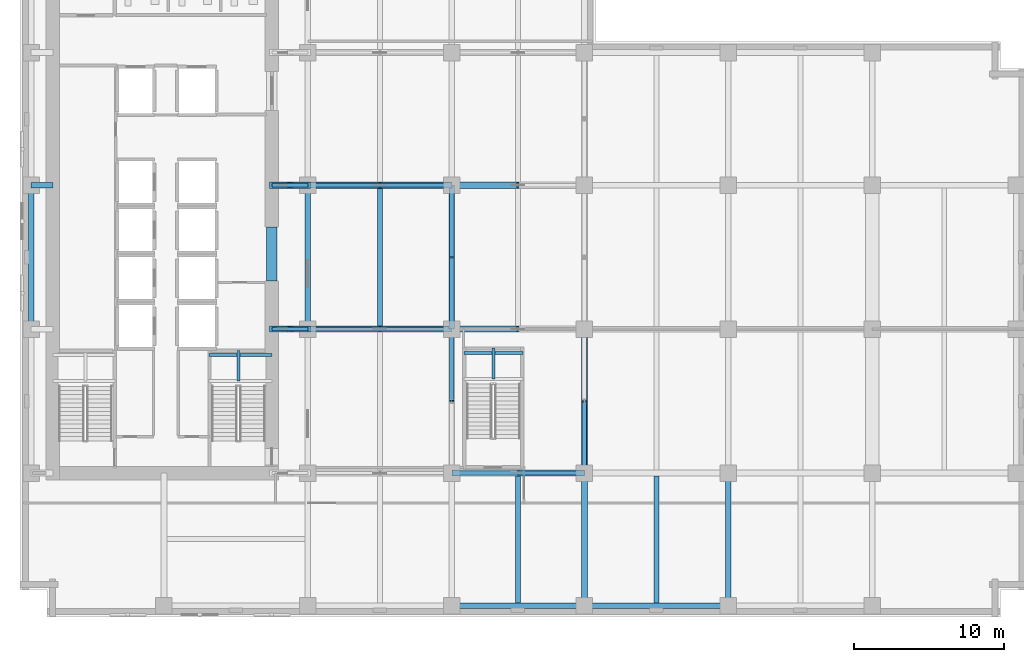
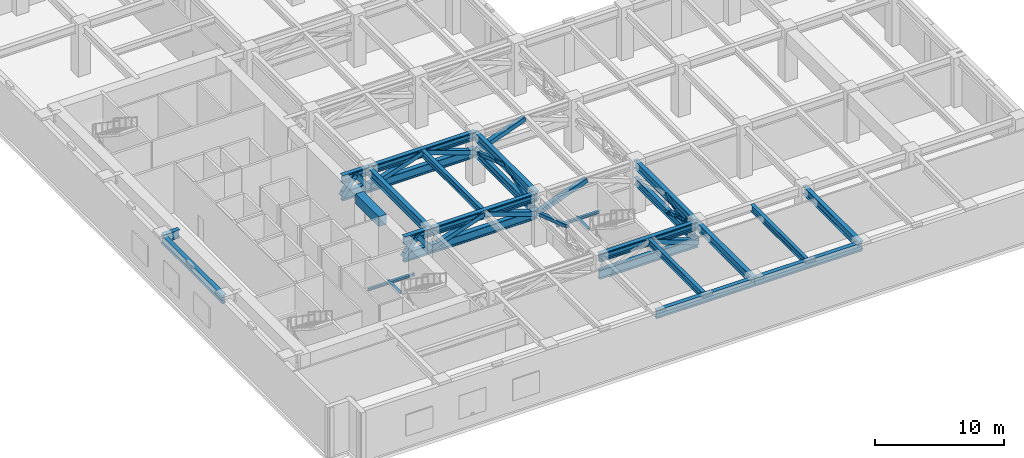
# One storey, part 3 of 22: 29 beams, 21 members.
"""IFC4 building model written with IfcOpenShell, lengths in metres."""

import ifcopenshell
import ifcopenshell.guid

model = None  # the IFC model being written
_history = None  # IfcOwnerHistory: only IFC2X3 demands one
_inside = {}  # id of a spatial element -> (the spatial element, [elements in it])
_under = {}  # id of a project, library or spatial element -> (it, [spatial elements below it])
_declared = {}  # id of a project -> (the project, [libraries it declares])
_typed = {}  # id of a type object -> (the type object, [elements of that type])
_made_of = {}  # id of a material, layer set ... -> (it, [elements and type objects made of it])


def new_model(schema):
    """Start an empty IFC model of exactly this schema.

    Asked for "IFC4X3", IfcOpenShell would pick the latest addendum, in which some entities
    have other attributes; the version numbers below select the first issue.
    IFC2X3 requires an IfcOwnerHistory on every rooted entity: one is made here for all.
    """
    global model, _history
    if schema == "IFC4X3":
        model = ifcopenshell.file(schema_version=(4, 3, 0, 0))
    else:
        model = ifcopenshell.file(schema=schema)
    _inside.clear()
    _under.clear()
    _declared.clear()
    _typed.clear()
    _made_of.clear()
    _history = None
    if model.schema == "IFC2X3":
        org = make("IfcOrganization", Name="unknown")
        user = make(
            "IfcPersonAndOrganization",
            ThePerson=make("IfcPerson", FamilyName="unknown"),
            TheOrganization=org,
        )
        app = make(
            "IfcApplication",
            ApplicationDeveloper=org,
            Version="unknown",
            ApplicationFullName="unknown",
            ApplicationIdentifier="unknown",
        )
        _history = make(
            "IfcOwnerHistory",
            OwningUser=user,
            OwningApplication=app,
            ChangeAction="ADDED",
            CreationDate=0,
        )
    return model


def make(cls, **values):
    """One entity of the class cls with the attributes given. An attribute that is None is left unset."""
    return model.create_entity(
        cls, **{name: value for name, value in values.items() if value is not None}
    )


def rooted(cls, **values):
    """An entity with a GlobalId (a new one), such as an element, a storey or a relation."""
    return make(cls, GlobalId=ifcopenshell.guid.new(), OwnerHistory=_history, **values)


def si_unit(unit_type, name, prefix=None):
    """IfcSIUnit, for example si_unit("LENGTHUNIT", "METRE", prefix="MILLI")."""
    return make("IfcSIUnit", UnitType=unit_type, Prefix=prefix, Name=name)


def assignment(units):
    """IfcUnitAssignment: the units of a project."""
    return None if units is None else make("IfcUnitAssignment", Units=units)


def point(xyz):
    """IfcCartesianPoint."""
    return None if xyz is None else make("IfcCartesianPoint", Coordinates=xyz)


def direction(xyz):
    """IfcDirection."""
    return None if xyz is None else make("IfcDirection", DirectionRatios=xyz)


def frame(location, z_axis=None, x_axis=None):
    """IfcAxis2Placement3D, a coordinate frame: its origin and axes. An axis left out is left unset."""
    return make(
        "IfcAxis2Placement3D",
        Location=point(location),
        Axis=direction(z_axis),
        RefDirection=direction(x_axis),
    )


def frame_2d(location, x_axis=None):
    """IfcAxis2Placement2D, a coordinate frame in the plane: its origin and x axis."""
    return make(
        "IfcAxis2Placement2D", Location=point(location), RefDirection=direction(x_axis)
    )


def origin():
    """The frame at (0, 0, 0) with its axes left unset."""
    return frame((0.0, 0.0, 0.0))


def origin_2d():
    """The frame at (0, 0) in the plane with its x axis left unset."""
    return frame_2d((0.0, 0.0))


def place(relative_to, where):
    """IfcLocalPlacement: puts the frame where relative to a parent placement (None: the world)."""
    return make(
        "IfcLocalPlacement", PlacementRelTo=relative_to, RelativePlacement=where
    )


def context(
    kind, dimensions, precision=None, world=None, true_north=None, identifier=None
):
    """IfcGeometricRepresentationContext, for example the 3D "Model" context."""
    return make(
        "IfcGeometricRepresentationContext",
        ContextIdentifier=identifier,
        ContextType=kind,
        CoordinateSpaceDimension=dimensions,
        Precision=precision,
        WorldCoordinateSystem=world,
        TrueNorth=true_north,
    )


def subcontext(parent, identifier, kind, view, scale=None):
    """IfcGeometricRepresentationSubContext, for example "Body" below "Model"."""
    return make(
        "IfcGeometricRepresentationSubContext",
        ContextIdentifier=identifier,
        ContextType=kind,
        ParentContext=parent,
        TargetScale=scale,
        TargetView=view,
    )


def project(units=None, contexts=None):
    """IfcProject with its units and contexts."""
    return rooted(
        "IfcProject",
        Name="project",
        RepresentationContexts=contexts,
        UnitsInContext=assignment(units),
    )


def spatial(cls, under=None, at=None, **own):
    """A site, building, storey or space (cls), placed at a placement, below another one or the project."""
    s = rooted(cls, ObjectPlacement=at, **own)
    if under is not None:
        _under.setdefault(under.id(), (under, []))[1].append(s)
    return s


def profile(cls, at=None, kind="AREA", **sizes):
    """A parametric profile (cls). Its sizes go by their IFC names, for example OverallWidth=200.0."""
    return make(cls, ProfileType=kind, Position=at, **sizes)


def rectangle(**sizes):
    """IfcRectangleProfileDef."""
    return profile("IfcRectangleProfileDef", **sizes)


def hollow_rectangle(**sizes):
    """IfcRectangleHollowProfileDef."""
    return profile("IfcRectangleHollowProfileDef", **sizes)


def i_section(**sizes):
    """IfcIShapeProfileDef."""
    return profile("IfcIShapeProfileDef", **sizes)


def extrude(swept, where, along, depth):
    """IfcExtrudedAreaSolid: the profile swept, set in the frame where, extruded along a direction by depth."""
    return make(
        "IfcExtrudedAreaSolid",
        SweptArea=swept,
        Position=where,
        ExtrudedDirection=direction(along),
        Depth=depth,
    )


def shape(context_of_items, identifier, shape_type, items):
    """IfcShapeRepresentation: the items that make up one representation, for example the "Body"."""
    return make(
        "IfcShapeRepresentation",
        ContextOfItems=context_of_items,
        RepresentationIdentifier=identifier,
        RepresentationType=shape_type,
        Items=items,
    )


def material(Name=None, Category=None):
    """IfcMaterial."""
    return make("IfcMaterial", Name=Name, Category=Category)


def material_profile(
    of_material, cross_section, Name=None, Category=None, Priority=None
):
    """IfcMaterialProfile: a cross section and its material."""
    return make(
        "IfcMaterialProfile",
        Name=Name,
        Material=of_material,
        Profile=cross_section,
        Priority=Priority,
        Category=Category,
    )


def profile_set(profiles, Name=None, composite=None):
    """IfcMaterialProfileSet."""
    return make(
        "IfcMaterialProfileSet",
        Name=Name,
        MaterialProfiles=profiles,
        CompositeProfile=composite,
    )


def made_of(thing, what):
    """Note that an element or type object is made of a material, layer set ...; save() writes the relation."""
    if what is not None:
        _made_of.setdefault(what.id(), (what, []))[1].append(thing)
    return thing


def type_object(cls, material=None, **own):
    """A type object (cls), such as IfcWallType, which elements share."""
    return made_of(rooted(cls, **own), material)


def element(
    cls,
    number,
    at=None,
    inside=None,
    cuts=None,
    type_object=None,
    material=None,
    context=None,
    identifier="Body",
    shape_type=None,
    held_by="IfcProductDefinitionShape",
    body=None,
    shapes=None,
    **own,
):
    """One element of the class cls, such as IfcWall. Its Tag is "e" and its number.

    at: its placement. inside: the storey or other place that contains it. cuts: it is an
    opening in that element (IfcRelVoidsElement). A single representation is given by context,
    identifier, shape_type and body (its items); several are given by shapes. held_by: the class
    of the entity that holds the representations. save() writes the other relations.
    """
    e = rooted(cls, Tag="e%d" % number, ObjectPlacement=at, **own)
    if body is not None:
        shapes = [shape(context, identifier, shape_type, body)]
    if shapes is not None:
        e.Representation = make(held_by, Representations=shapes)
    if inside is not None:
        _inside.setdefault(inside.id(), (inside, []))[1].append(e)
    if cuts is not None:
        rooted(
            "IfcRelVoidsElement", RelatingBuildingElement=cuts, RelatedOpeningElement=e
        )
    if type_object is not None:
        _typed.setdefault(type_object.id(), (type_object, []))[1].append(e)
    return made_of(e, material)


def aggregate(whole, parts):
    """IfcRelAggregates: a whole, such as a stair, and the parts it consists of."""
    return rooted("IfcRelAggregates", RelatingObject=whole, RelatedObjects=parts)


def save(model, path):
    """Write the relations noted so far, then the file.

    IfcRelAggregates (storeys below a building ...), IfcRelContainedInSpatialStructure (elements
    in a storey), IfcRelDefinesByType, IfcRelAssociatesMaterial and IfcRelDeclares: one each for
    every whole, place, type object, material and project.
    """
    for whole, parts in _under.values():
        aggregate(whole, parts)
    for where, things in _inside.values():
        rooted(
            "IfcRelContainedInSpatialStructure",
            RelatedElements=things,
            RelatingStructure=where,
        )
    for kind, things in _typed.values():
        rooted("IfcRelDefinesByType", RelatedObjects=things, RelatingType=kind)
    for what, things in _made_of.values():
        rooted("IfcRelAssociatesMaterial", RelatedObjects=things, RelatingMaterial=what)
    for by, libraries in _declared.values():
        rooted("IfcRelDeclares", RelatingContext=by, RelatedDefinitions=libraries)
    model.write(path)


model = new_model("IFC4")

# Units and contexts
model_context = context("Model", 3, precision=1e-05, world=origin(), true_north=direction((0.0, 1.0)))
body_context = subcontext(model_context, "Body", "Model", "MODEL_VIEW")
ifc_project = project(units=[si_unit("LENGTHUNIT", "METRE"), si_unit("AREAUNIT", "SQUARE_METRE"), si_unit("VOLUMEUNIT", "CUBIC_METRE"), si_unit("PLANEANGLEUNIT", "RADIAN"), si_unit("MASSUNIT", "GRAM", prefix="KILO")], contexts=[model_context])

# Site, building, storey
site_placement = place(None, origin())
site = spatial("IfcSite", under=ifc_project, at=site_placement, CompositionType="ELEMENT")
building_placement = place(site_placement, origin())
building = spatial("IfcBuilding", under=site, at=building_placement, Name="Norrvale University Quadrangle", CompositionType="ELEMENT")
storey_placement = place(building_placement, frame((0.0, 0.0, 96.39990234375)))
storey = spatial("IfcBuildingStorey", under=building, at=storey_placement, Name="L24", CompositionType="ELEMENT", Elevation=96.39990234375)

# Beams
ifc_material_1 = material(Name="Steel 350W", Category="steel")
ifc_material_profile_1 = material_profile(ifc_material_1, i_section(OverallWidth=0.324951171875, OverallDepth=0.615966796875, WebThickness=0.013916015625, FlangeThickness=0.021484375, FilletRadius=0.01611328125, at=origin_2d()), Name="Steel 350W")
ifc_profile_set_1 = profile_set([ifc_material_profile_1], Name="Steel 350W")
beam_type_1 = type_object("IfcBeamType", Name="Beam Belt W610x174", PredefinedType="BEAM", material=ifc_profile_set_1)
beam_1_placement = place(storey_placement, frame((24.0, 19.390380859375, 4.43212890625), z_axis=(0.0, 1.0, 0.0), x_axis=(-1.0, 0.0, 0.0)))
element("IfcBeam", 1, at=beam_1_placement, inside=storey, type_object=beam_type_1, Name="Beam Belt W610x174 BM-L24-J080", PredefinedType="BEAM", context=body_context, shape_type="SweptSolid", body=[
    extrude(i_section(OverallWidth=0.324951171875, OverallDepth=0.615966796875, WebThickness=0.013916015625, FlangeThickness=0.021484375, FilletRadius=0.01611328125, at=origin_2d()), origin(), (0.0, 0.0, 1.0), 9.21923828125),
])
for number, where, z_axis, x_axis, name in (
    (2, (33.22509765625, 0.9404296875, 4.43212890625), (0.0, 1.0, 0.0), (-1.0, 0.0, 0.0), "Beam Belt W610x174 BM-L24-J085"),
    (3, (42.449951171875, 0.9404296875, 4.43212890625), (0.0, 1.0, 0.0), (-1.0, 0.0, 0.0), "Beam Belt W610x174 BM-L24-J090"),
):
    element("IfcBeam", number, at=place(storey_placement, frame(where, z_axis=z_axis, x_axis=x_axis)), inside=storey, type_object=beam_type_1, Name=name, PredefinedType="BEAM", context=body_context, shape_type="SweptSolid", body=[
        extrude(i_section(OverallWidth=0.324951171875, OverallDepth=0.615966796875, WebThickness=0.013916015625, FlangeThickness=0.021484375, FilletRadius=0.01611328125, at=origin_2d()), origin(), (0.0, 0.0, 1.0), 8.468994140625),
    ])
ifc_material_profile_2 = material_profile(ifc_material_1, i_section(OverallWidth=0.35498046875, OverallDepth=0.695068359375, WebThickness=0.015380859375, FlangeThickness=0.02490234375, FilletRadius=0.01806640625, at=origin_2d()), Name="Steel 350W")
ifc_profile_set_2 = profile_set([ifc_material_profile_2], Name="Steel 350W")
beam_type_2 = type_object("IfcBeamType", Name="Beam Belt W690x217", PredefinedType="BEAM", material=ifc_profile_set_2)
beam_2_placement = place(storey_placement, frame((37.64990234375, 9.60009765625, 2.75), z_axis=(0.0, 1.0, 0.0), x_axis=(-1.0, 0.0, 0.0)))
element("IfcBeam", 4, at=beam_2_placement, inside=storey, type_object=beam_type_2, Name="Belt Truss Chord L24-01", PredefinedType="BEAM", context=body_context, shape_type="SweptSolid", body=[
    extrude(i_section(OverallWidth=0.35498046875, OverallDepth=0.695068359375, WebThickness=0.015380859375, FlangeThickness=0.02490234375, FilletRadius=0.01806640625, at=origin_2d()), origin(), (0.0, 0.0, 1.0), 9.599853515625),
])
beam_3_placement = place(storey_placement, frame((28.800048828125, 19.199951171875, 2.75), z_axis=(0.0, 1.0, 0.0), x_axis=(-1.0, 0.0, 0.0)))
element("IfcBeam", 5, at=beam_3_placement, inside=storey, type_object=beam_type_2, Name="Belt Truss Chord L24-05", PredefinedType="BEAM", context=body_context, shape_type="SweptSolid", body=[
    extrude(i_section(OverallWidth=0.35498046875, OverallDepth=0.695068359375, WebThickness=0.015380859375, FlangeThickness=0.02490234375, FilletRadius=0.01806640625, at=origin_2d()), origin(), (0.0, 0.0, 1.0), 9.60009765625),
])
ifc_material_2 = material(Name="Concrete C80/95", Category="concrete")
ifc_material_profile_3 = material_profile(ifc_material_2, rectangle(XDim=0.699951171875, YDim=0.949951171875, at=origin_2d()), Name="Concrete C80/95")
ifc_profile_set_3 = profile_set([ifc_material_profile_3], Name="Concrete C80/95")
beam_type_3 = type_object("IfcBeamType", Name="Beam Core Link 700x950", PredefinedType="LINTEL", material=ifc_profile_set_3)
beam_4_placement = place(storey_placement, frame((16.800048828125, 22.39990234375, 4.26513671875), z_axis=(0.0, 1.0, 0.0), x_axis=(-1.0, 0.0, 0.0)))
element("IfcBeam", 6, at=beam_4_placement, inside=storey, type_object=beam_type_3, Name="Core Coupling Lintel Beam L24-1", PredefinedType="LINTEL", context=body_context, shape_type="SweptSolid", body=[
    extrude(rectangle(XDim=0.699951171875, YDim=0.949951171875, at=origin_2d()), origin(), (0.0, 0.0, 1.0), 3.60009765625),
])
ifc_material_profile_4 = material_profile(ifc_material_1, i_section(OverallWidth=0.381103515625, OverallDepth=0.77294921875, WebThickness=0.0166015625, FlangeThickness=0.027587890625, FilletRadius=0.02001953125, at=origin_2d()), Name="Steel 350W")
ifc_profile_set_4 = profile_set([ifc_material_profile_4], Name="Steel 350W")
beam_type_4 = type_object("IfcBeamType", Name="Beam Outrig W760x257", PredefinedType="BEAM", material=ifc_profile_set_4)
beam_5_placement = place(storey_placement, frame((28.800048828125, 0.75, 4.353515625), z_axis=(1.0, 0.0, 0.0), x_axis=(0.0, 1.0, 0.0)))
element("IfcBeam", 7, at=beam_5_placement, inside=storey, type_object=beam_type_4, Name="Beam Outrig W760x257 BM-L24-GX003", PredefinedType="BEAM", context=body_context, shape_type="SweptSolid", body=[
    extrude(i_section(OverallWidth=0.381103515625, OverallDepth=0.77294921875, WebThickness=0.0166015625, FlangeThickness=0.027587890625, FilletRadius=0.02001953125, at=origin_2d()), origin(), (0.0, 0.0, 1.0), 8.849853515625),
])
beam_6_placement = place(storey_placement, frame((37.64990234375, 0.75, 4.353515625), z_axis=(1.0, 0.0, 0.0), x_axis=(0.0, 1.0, 0.0)))
element("IfcBeam", 8, at=beam_6_placement, inside=storey, type_object=beam_type_4, Name="Beam Outrig W760x257 BM-L24-GX004", PredefinedType="BEAM", context=body_context, shape_type="SweptSolid", body=[
    extrude(i_section(OverallWidth=0.381103515625, OverallDepth=0.77294921875, WebThickness=0.0166015625, FlangeThickness=0.027587890625, FilletRadius=0.02001953125, at=origin_2d()), origin(), (0.0, 0.0, 1.0), 9.60009765625),
])
beam_7_placement = place(storey_placement, frame((28.800048828125, 9.60009765625, 4.353515625), z_axis=(1.0, 0.0, 0.0), x_axis=(0.0, 1.0, 0.0)))
element("IfcBeam", 9, at=beam_7_placement, inside=storey, type_object=beam_type_4, Name="Beam Outrig W760x257 BM-L24-GX007", PredefinedType="BEAM", context=body_context, shape_type="SweptSolid", body=[
    extrude(i_section(OverallWidth=0.381103515625, OverallDepth=0.77294921875, WebThickness=0.0166015625, FlangeThickness=0.027587890625, FilletRadius=0.02001953125, at=origin_2d()), origin(), (0.0, 0.0, 1.0), 8.849853515625),
])
for number, where, z_axis, x_axis, name in (
    (10, (19.199951171875, 19.199951171875, 4.353515625), (1.0, 0.0, 0.0), (0.0, 1.0, 0.0), "Beam Outrig W760x257 BM-L24-GX011"),
    (11, (19.199951171875, 28.800048828125, 4.353515625), (1.0, 0.0, 0.0), (0.0, 1.0, 0.0), "Beam Outrig W760x257 BM-L24-GX016"),
    (12, (0.75, 19.199951171875, 4.353515625), (0.0, 1.0, 0.0), (-1.0, 0.0, 0.0), "Beam Outrig W760x257 BM-L24-GY034"),
    (13, (19.199951171875, 19.199951171875, 4.353515625), (0.0, 1.0, 0.0), (-1.0, 0.0, 0.0), "Beam Outrig W760x257 BM-L24-GY041"),
    (14, (28.800048828125, 19.199951171875, 4.353515625), (0.0, 1.0, 0.0), (-1.0, 0.0, 0.0), "Beam Outrig W760x257 BM-L24-GY048"),
):
    element("IfcBeam", number, at=place(storey_placement, frame(where, z_axis=z_axis, x_axis=x_axis)), inside=storey, type_object=beam_type_4, Name=name, PredefinedType="BEAM", context=body_context, shape_type="SweptSolid", body=[
        extrude(i_section(OverallWidth=0.381103515625, OverallDepth=0.77294921875, WebThickness=0.0166015625, FlangeThickness=0.027587890625, FilletRadius=0.02001953125, at=origin_2d()), origin(), (0.0, 0.0, 1.0), 9.60009765625),
    ])
beam_8_placement = place(storey_placement, frame((37.64990234375, 0.75, 4.353515625), z_axis=(0.0, 1.0, 0.0), x_axis=(-1.0, 0.0, 0.0)))
element("IfcBeam", 15, at=beam_8_placement, inside=storey, type_object=beam_type_4, Name="Beam Outrig W760x257 BM-L24-GY053", PredefinedType="BEAM", context=body_context, shape_type="SweptSolid", body=[
    extrude(i_section(OverallWidth=0.381103515625, OverallDepth=0.77294921875, WebThickness=0.0166015625, FlangeThickness=0.027587890625, FilletRadius=0.02001953125, at=origin_2d()), origin(), (0.0, 0.0, 1.0), 8.85009765625),
])
beam_9_placement = place(storey_placement, frame((37.64990234375, 9.60009765625, 4.353515625), z_axis=(0.0, 1.0, 0.0), x_axis=(-1.0, 0.0, 0.0)))
element("IfcBeam", 16, at=beam_9_placement, inside=storey, type_object=beam_type_4, Name="Beam Outrig W760x257 BM-L24-GY054", PredefinedType="BEAM", context=body_context, shape_type="SweptSolid", body=[
    extrude(i_section(OverallWidth=0.381103515625, OverallDepth=0.77294921875, WebThickness=0.0166015625, FlangeThickness=0.027587890625, FilletRadius=0.02001953125, at=origin_2d()), origin(), (0.0, 0.0, 1.0), 9.599853515625),
])
beam_10_placement = place(storey_placement, frame((47.25, 0.75, 4.353515625), z_axis=(0.0, 1.0, 0.0), x_axis=(-1.0, 0.0, 0.0)))
element("IfcBeam", 17, at=beam_10_placement, inside=storey, type_object=beam_type_4, Name="Beam Outrig W760x257 BM-L24-GY059", PredefinedType="BEAM", context=body_context, shape_type="SweptSolid", body=[
    extrude(i_section(OverallWidth=0.381103515625, OverallDepth=0.77294921875, WebThickness=0.0166015625, FlangeThickness=0.027587890625, FilletRadius=0.02001953125, at=origin_2d()), origin(), (0.0, 0.0, 1.0), 8.85009765625),
])
beam_11_placement = place(storey_placement, frame((16.800048828125, 19.199951171875, 4.353515625), z_axis=(1.0, 0.0, 0.0), x_axis=(0.0, 1.0, 0.0)))
element("IfcBeam", 18, at=beam_11_placement, inside=storey, type_object=beam_type_4, Name="Beam Outrig W760x257 BM-L24-GCE070", PredefinedType="BEAM", context=body_context, shape_type="SweptSolid", body=[
    extrude(i_section(OverallWidth=0.381103515625, OverallDepth=0.77294921875, WebThickness=0.0166015625, FlangeThickness=0.027587890625, FilletRadius=0.02001953125, at=origin_2d()), origin(), (0.0, 0.0, 1.0), 2.39990234375),
])
beam_12_placement = place(storey_placement, frame((0.75, 28.800048828125, 4.353515625), z_axis=(1.0, 0.0, 0.0), x_axis=(0.0, 1.0, 0.0)))
element("IfcBeam", 19, at=beam_12_placement, inside=storey, type_object=beam_type_4, Name="Beam Outrig W760x257 BM-L24-GCW071", PredefinedType="BEAM", context=body_context, shape_type="SweptSolid", body=[
    extrude(i_section(OverallWidth=0.381103515625, OverallDepth=0.77294921875, WebThickness=0.0166015625, FlangeThickness=0.027587890625, FilletRadius=0.02001953125, at=origin_2d()), origin(), (0.0, 0.0, 1.0), 1.449951171875),
])
beam_13_placement = place(storey_placement, frame((16.800048828125, 28.800048828125, 4.353515625), z_axis=(1.0, 0.0, 0.0), x_axis=(0.0, 1.0, 0.0)))
element("IfcBeam", 20, at=beam_13_placement, inside=storey, type_object=beam_type_4, Name="Beam Outrig W760x257 BM-L24-GCE072", PredefinedType="BEAM", context=body_context, shape_type="SweptSolid", body=[
    extrude(i_section(OverallWidth=0.381103515625, OverallDepth=0.77294921875, WebThickness=0.0166015625, FlangeThickness=0.027587890625, FilletRadius=0.02001953125, at=origin_2d()), origin(), (0.0, 0.0, 1.0), 2.39990234375),
])
ifc_material_profile_5 = material_profile(ifc_material_1, i_section(OverallWidth=0.39990234375, OverallDepth=0.85498046875, WebThickness=0.018310546875, FlangeThickness=0.029296875, FilletRadius=0.02197265625, at=origin_2d()), Name="Steel 350W")
ifc_profile_set_5 = profile_set([ifc_material_profile_5], Name="Steel 350W")
beam_type_5 = type_object("IfcBeamType", Name="Beam Outrig W840x299", PredefinedType="BEAM", material=ifc_profile_set_5)
beam_14_placement = place(storey_placement, frame((28.800048828125, 9.60009765625, 2.75), z_axis=(1.0, 0.0, 0.0), x_axis=(0.0, 1.0, 0.0)))
element("IfcBeam", 21, at=beam_14_placement, inside=storey, type_object=beam_type_5, Name="Outrigger Bottom Chord L24-1.3", PredefinedType="BEAM", context=body_context, shape_type="SweptSolid", body=[
    extrude(i_section(OverallWidth=0.39990234375, OverallDepth=0.85498046875, WebThickness=0.018310546875, FlangeThickness=0.029296875, FilletRadius=0.02197265625, at=origin_2d()), origin(), (0.0, 0.0, 1.0), 8.849853515625),
])
beam_15_placement = place(storey_placement, frame((16.800048828125, 19.199951171875, 2.75), z_axis=(1.0, 0.0, 0.0), x_axis=(0.0, 1.0, 0.0)))
element("IfcBeam", 22, at=beam_15_placement, inside=storey, type_object=beam_type_5, Name="Outrigger Bottom Chord L24-2.1", PredefinedType="BEAM", context=body_context, shape_type="SweptSolid", body=[
    extrude(i_section(OverallWidth=0.39990234375, OverallDepth=0.85498046875, WebThickness=0.018310546875, FlangeThickness=0.029296875, FilletRadius=0.02197265625, at=origin_2d()), origin(), (0.0, 0.0, 1.0), 2.39990234375),
])
beam_16_placement = place(storey_placement, frame((19.199951171875, 19.199951171875, 2.75), z_axis=(1.0, 0.0, 0.0), x_axis=(0.0, 1.0, 0.0)))
element("IfcBeam", 23, at=beam_16_placement, inside=storey, type_object=beam_type_5, Name="Outrigger Bottom Chord L24-2.2", PredefinedType="BEAM", context=body_context, shape_type="SweptSolid", body=[
    extrude(i_section(OverallWidth=0.39990234375, OverallDepth=0.85498046875, WebThickness=0.018310546875, FlangeThickness=0.029296875, FilletRadius=0.02197265625, at=origin_2d()), origin(), (0.0, 0.0, 1.0), 9.60009765625),
])
beam_17_placement = place(storey_placement, frame((16.800048828125, 28.800048828125, 2.75), z_axis=(1.0, 0.0, 0.0), x_axis=(0.0, 1.0, 0.0)))
element("IfcBeam", 24, at=beam_17_placement, inside=storey, type_object=beam_type_5, Name="Outrigger Bottom Chord L24-3.1", PredefinedType="BEAM", context=body_context, shape_type="SweptSolid", body=[
    extrude(i_section(OverallWidth=0.39990234375, OverallDepth=0.85498046875, WebThickness=0.018310546875, FlangeThickness=0.029296875, FilletRadius=0.02197265625, at=origin_2d()), origin(), (0.0, 0.0, 1.0), 2.39990234375),
])
beam_18_placement = place(storey_placement, frame((19.199951171875, 28.800048828125, 2.75), z_axis=(1.0, 0.0, 0.0), x_axis=(0.0, 1.0, 0.0)))
element("IfcBeam", 25, at=beam_18_placement, inside=storey, type_object=beam_type_5, Name="Outrigger Bottom Chord L24-3.2", PredefinedType="BEAM", context=body_context, shape_type="SweptSolid", body=[
    extrude(i_section(OverallWidth=0.39990234375, OverallDepth=0.85498046875, WebThickness=0.018310546875, FlangeThickness=0.029296875, FilletRadius=0.02197265625, at=origin_2d()), origin(), (0.0, 0.0, 1.0), 9.60009765625),
])
ifc_material_profile_6 = material_profile(ifc_material_1, i_section(OverallWidth=0.201904296875, OverallDepth=0.2470703125, WebThickness=0.00732421875, FlangeThickness=0.010986328125, FilletRadius=0.011962890625, at=origin_2d()), Name="Steel 350W")
ifc_profile_set_6 = profile_set([ifc_material_profile_6], Name="Steel 350W")
beam_type_6 = type_object("IfcBeamType", Name="Beam Stair W250x49", PredefinedType="BEAM", material=ifc_profile_set_6)
beam_19_placement = place(storey_placement, frame((12.610107421875, 17.469970703125, 2.176513671875), z_axis=(1.0, 0.0, 0.0), x_axis=(0.0, 1.0, 0.0)))
element("IfcBeam", 26, at=beam_19_placement, inside=storey, type_object=beam_type_6, Name="Stair Mid-Landing Rear Beam ST-03 L24", PredefinedType="BEAM", context=body_context, shape_type="SweptSolid", body=[
    extrude(i_section(OverallWidth=0.201904296875, OverallDepth=0.2470703125, WebThickness=0.00732421875, FlangeThickness=0.010986328125, FilletRadius=0.011962890625, at=origin_2d()), origin(), (0.0, 0.0, 1.0), 4.18994140625),
])
beam_20_placement = place(storey_placement, frame((29.610107421875, 17.6201171875, 2.176513671875), z_axis=(1.0, 0.0, 0.0), x_axis=(0.0, 1.0, 0.0)))
element("IfcBeam", 27, at=beam_20_placement, inside=storey, type_object=beam_type_6, Name="Stair Mid-Landing Rear Beam ST-04 L24", PredefinedType="BEAM", context=body_context, shape_type="SweptSolid", body=[
    extrude(i_section(OverallWidth=0.201904296875, OverallDepth=0.2470703125, WebThickness=0.00732421875, FlangeThickness=0.010986328125, FilletRadius=0.011962890625, at=origin_2d()), origin(), (0.0, 0.0, 1.0), 3.929931640625),
])
ifc_material_profile_7 = material_profile(ifc_material_1, i_section(OverallWidth=0.202880859375, OverallDepth=0.202880859375, WebThickness=0.007080078125, FlangeThickness=0.010986328125, FilletRadius=0.010009765625, at=origin_2d()), Name="Steel 350W")
ifc_profile_set_7 = profile_set([ifc_material_profile_7], Name="Steel 350W")
beam_type_7 = type_object("IfcBeamType", Name="Beam Trim W200x46", PredefinedType="BEAM", material=ifc_profile_set_7)
for number, where, z_axis, x_axis, name in (
    (28, (14.574951171875, 15.72998046875, 2.198486328125), (0.0, 1.0, 0.0), (-1.0, 0.0, 0.0), "Stair Mid-Landing Cross Beam ST-03 L24"),
    (29, (31.574951171875, 15.8798828125, 2.198486328125), (0.0, 1.0, 0.0), (-1.0, 0.0, 0.0), "Stair Mid-Landing Cross Beam ST-04 L24"),
):
    element("IfcBeam", number, at=place(storey_placement, frame(where, z_axis=z_axis, x_axis=x_axis)), inside=storey, type_object=beam_type_7, Name=name, PredefinedType="BEAM", context=body_context, shape_type="SweptSolid", body=[
        extrude(i_section(OverallWidth=0.202880859375, OverallDepth=0.202880859375, WebThickness=0.007080078125, FlangeThickness=0.010986328125, FilletRadius=0.010009765625, at=origin_2d()), origin(), (0.0, 0.0, 1.0), 2.06005859375),
    ])

# Members
ifc_material_profile_8 = material_profile(ifc_material_1, hollow_rectangle(XDim=0.304931640625, YDim=0.304931640625, WallThickness=0.012939453125, at=origin_2d()), Name="Steel 350W")
ifc_profile_set_8 = profile_set([ifc_material_profile_8], Name="Steel 350W")
member_type_1 = type_object("IfcMemberType", Name="Member Belt Diag HSS305", PredefinedType="BRACE", material=ifc_profile_set_8)
member_1_placement = place(storey_placement, frame((37.64990234375, 9.60009765625, 2.75), z_axis=(0.0, 0.946278750372, 0.323352016531), x_axis=(-1.0, 0.0, 0.0)))
element("IfcMember", 30, at=member_1_placement, inside=storey, type_object=member_type_1, Name="Belt Truss Brace L24-01A", PredefinedType="BRACE", context=body_context, shape_type="SweptSolid", body=[
    extrude(hollow_rectangle(XDim=0.304931640625, YDim=0.304931640625, WallThickness=0.012939453125, at=origin_2d()), origin(), (0.0, 0.0, 1.0), 5.072265625),
])
for number, where, z_axis, x_axis, name in (
    (31, (28.800048828125, 19.199951171875, 2.75), (0.0, -0.946283782562, 0.323337289622), (1.0, 0.0, 0.0), "Belt Truss Brace L24-04B"),
    (32, (28.800048828125, 19.199951171875, 2.75), (0.0, 0.946283782562, 0.323337289622), (-1.0, 0.0, 0.0), "Belt Truss Brace L24-05A"),
    (33, (28.800048828125, 28.800048828125, 2.75), (0.0, -0.946283782562, 0.323337289622), (1.0, 0.0, 0.0), "Belt Truss Brace L24-05B"),
):
    element("IfcMember", number, at=place(storey_placement, frame(where, z_axis=z_axis, x_axis=x_axis)), inside=storey, type_object=member_type_1, Name=name, PredefinedType="BRACE", context=body_context, shape_type="SweptSolid", body=[
        extrude(hollow_rectangle(XDim=0.304931640625, YDim=0.304931640625, WallThickness=0.012939453125, at=origin_2d()), origin(), (0.0, 0.0, 1.0), 5.072509765625),
    ])
ifc_material_profile_9 = material_profile(ifc_material_1, hollow_rectangle(XDim=0.202880859375, YDim=0.304931640625, WallThickness=0.012939453125, at=origin_2d()), Name="Steel 350W")
ifc_profile_set_9 = profile_set([ifc_material_profile_9], Name="Steel 350W")
member_type_2 = type_object("IfcMemberType", Name="Member Chord HSS305x203", PredefinedType="CHORD", material=ifc_profile_set_9)
member_2_placement = place(storey_placement, frame((28.800048828125, 9.60009765625, 4.39013671875), z_axis=(1.0, 0.0, 0.0), x_axis=(0.0, 1.0, 0.0)))
element("IfcMember", 34, at=member_2_placement, inside=storey, type_object=member_type_2, Name="Outrigger Top Chord L24-1.3", PredefinedType="CHORD", context=body_context, shape_type="SweptSolid", body=[
    extrude(hollow_rectangle(XDim=0.202880859375, YDim=0.304931640625, WallThickness=0.012939453125, at=origin_2d()), origin(), (0.0, 0.0, 1.0), 8.849853515625),
])
member_3_placement = place(storey_placement, frame((16.800048828125, 19.199951171875, 4.39013671875), z_axis=(1.0, 0.0, 0.0), x_axis=(0.0, 1.0, 0.0)))
element("IfcMember", 35, at=member_3_placement, inside=storey, type_object=member_type_2, Name="Outrigger Top Chord L24-2.1", PredefinedType="CHORD", context=body_context, shape_type="SweptSolid", body=[
    extrude(hollow_rectangle(XDim=0.202880859375, YDim=0.304931640625, WallThickness=0.012939453125, at=origin_2d()), origin(), (0.0, 0.0, 1.0), 2.39990234375),
])
member_4_placement = place(storey_placement, frame((19.199951171875, 19.199951171875, 4.39013671875), z_axis=(1.0, 0.0, 0.0), x_axis=(0.0, 1.0, 0.0)))
element("IfcMember", 36, at=member_4_placement, inside=storey, type_object=member_type_2, Name="Outrigger Top Chord L24-2.2", PredefinedType="CHORD", context=body_context, shape_type="SweptSolid", body=[
    extrude(hollow_rectangle(XDim=0.202880859375, YDim=0.304931640625, WallThickness=0.012939453125, at=origin_2d()), origin(), (0.0, 0.0, 1.0), 9.60009765625),
])
member_5_placement = place(storey_placement, frame((16.800048828125, 28.800048828125, 4.39013671875), z_axis=(1.0, 0.0, 0.0), x_axis=(0.0, 1.0, 0.0)))
element("IfcMember", 37, at=member_5_placement, inside=storey, type_object=member_type_2, Name="Outrigger Top Chord L24-3.1", PredefinedType="CHORD", context=body_context, shape_type="SweptSolid", body=[
    extrude(hollow_rectangle(XDim=0.202880859375, YDim=0.304931640625, WallThickness=0.012939453125, at=origin_2d()), origin(), (0.0, 0.0, 1.0), 2.39990234375),
])
member_6_placement = place(storey_placement, frame((19.199951171875, 28.800048828125, 4.39013671875), z_axis=(1.0, 0.0, 0.0), x_axis=(0.0, 1.0, 0.0)))
element("IfcMember", 38, at=member_6_placement, inside=storey, type_object=member_type_2, Name="Outrigger Top Chord L24-3.2", PredefinedType="CHORD", context=body_context, shape_type="SweptSolid", body=[
    extrude(hollow_rectangle(XDim=0.202880859375, YDim=0.304931640625, WallThickness=0.012939453125, at=origin_2d()), origin(), (0.0, 0.0, 1.0), 9.60009765625),
])
ifc_material_profile_10 = material_profile(ifc_material_1, hollow_rectangle(XDim=0.406005859375, YDim=0.406005859375, WallThickness=0.01611328125, at=origin_2d()), Name="Steel 350W")
ifc_profile_set_10 = profile_set([ifc_material_profile_10], Name="Steel 350W")
member_type_3 = type_object("IfcMemberType", Name="Member Outrig Diag HSS406", PredefinedType="BRACE", material=ifc_profile_set_10)
member_7_placement = place(storey_placement, frame((37.64990234375, 9.60009765625, 2.75), z_axis=(-0.937657613732, 0.0, 0.347560353622), x_axis=(0.0, -1.0, 0.0)))
element("IfcMember", 39, at=member_7_placement, inside=storey, type_object=member_type_3, Name="Outrigger Truss Diagonal L24-1.3B", PredefinedType="BRACE", context=body_context, shape_type="SweptSolid", body=[
    extrude(hollow_rectangle(XDim=0.406005859375, YDim=0.406005859375, WallThickness=0.01611328125, at=origin_2d()), origin(), (0.0, 0.0, 1.0), 4.718994140625),
])
for number, where, z_axis, x_axis, name in (
    (40, (16.800048828125, 19.199951171875, 2.75), (0.590462283892, 0.0, 0.807065233609), (0.0, 1.0, 0.0), "Outrigger Truss Diagonal L24-2.1A"),
    (41, (19.199951171875, 19.199951171875, 2.75), (-0.590462283892, 0.0, 0.807065233609), (0.0, -1.0, 0.0), "Outrigger Truss Diagonal L24-2.1B"),
):
    element("IfcMember", number, at=place(storey_placement, frame(where, z_axis=z_axis, x_axis=x_axis)), inside=storey, type_object=member_type_3, Name=name, PredefinedType="BRACE", context=body_context, shape_type="SweptSolid", body=[
        extrude(hollow_rectangle(XDim=0.406005859375, YDim=0.406005859375, WallThickness=0.01611328125, at=origin_2d()), origin(), (0.0, 0.0, 1.0), 2.0322265625),
    ])
for number, where, z_axis, x_axis, name in (
    (42, (19.199951171875, 19.199951171875, 2.75), (0.946283782562, 0.0, 0.323337289622), (0.0, 1.0, 0.0), "Outrigger Truss Diagonal L24-2.2A"),
    (43, (28.800048828125, 19.199951171875, 2.75), (-0.946283782562, 0.0, 0.323337289622), (0.0, -1.0, 0.0), "Outrigger Truss Diagonal L24-2.2B"),
):
    element("IfcMember", number, at=place(storey_placement, frame(where, z_axis=z_axis, x_axis=x_axis)), inside=storey, type_object=member_type_3, Name=name, PredefinedType="BRACE", context=body_context, shape_type="SweptSolid", body=[
        extrude(hollow_rectangle(XDim=0.406005859375, YDim=0.406005859375, WallThickness=0.01611328125, at=origin_2d()), origin(), (0.0, 0.0, 1.0), 5.072509765625),
    ])
member_8_placement = place(storey_placement, frame((28.800048828125, 19.199951171875, 2.75), z_axis=(0.937663862855, 0.0, 0.347543494106), x_axis=(0.0, 1.0, 0.0)))
element("IfcMember", 44, at=member_8_placement, inside=storey, type_object=member_type_3, Name="Outrigger Truss Diagonal L24-2.3A", PredefinedType="BRACE", context=body_context, shape_type="SweptSolid", body=[
    extrude(hollow_rectangle(XDim=0.406005859375, YDim=0.406005859375, WallThickness=0.01611328125, at=origin_2d()), origin(), (0.0, 0.0, 1.0), 4.71923828125),
])
for number, where, z_axis, x_axis, name in (
    (45, (16.800048828125, 28.800048828125, 2.75), (0.590462283892, 0.0, 0.807065233609), (0.0, 1.0, 0.0), "Outrigger Truss Diagonal L24-3.1A"),
    (46, (19.199951171875, 28.800048828125, 2.75), (-0.590462283892, 0.0, 0.807065233609), (0.0, -1.0, 0.0), "Outrigger Truss Diagonal L24-3.1B"),
):
    element("IfcMember", number, at=place(storey_placement, frame(where, z_axis=z_axis, x_axis=x_axis)), inside=storey, type_object=member_type_3, Name=name, PredefinedType="BRACE", context=body_context, shape_type="SweptSolid", body=[
        extrude(hollow_rectangle(XDim=0.406005859375, YDim=0.406005859375, WallThickness=0.01611328125, at=origin_2d()), origin(), (0.0, 0.0, 1.0), 2.0322265625),
    ])
for number, where, z_axis, x_axis, name in (
    (47, (19.199951171875, 28.800048828125, 2.75), (0.946283782562, 0.0, 0.323337289622), (0.0, 1.0, 0.0), "Outrigger Truss Diagonal L24-3.2A"),
    (48, (28.800048828125, 28.800048828125, 2.75), (-0.946283782562, 0.0, 0.323337289622), (0.0, -1.0, 0.0), "Outrigger Truss Diagonal L24-3.2B"),
):
    element("IfcMember", number, at=place(storey_placement, frame(where, z_axis=z_axis, x_axis=x_axis)), inside=storey, type_object=member_type_3, Name=name, PredefinedType="BRACE", context=body_context, shape_type="SweptSolid", body=[
        extrude(hollow_rectangle(XDim=0.406005859375, YDim=0.406005859375, WallThickness=0.01611328125, at=origin_2d()), origin(), (0.0, 0.0, 1.0), 5.072509765625),
    ])
member_9_placement = place(storey_placement, frame((28.800048828125, 28.800048828125, 2.75), z_axis=(0.937663862855, 0.0, 0.347543494106), x_axis=(0.0, 1.0, 0.0)))
element("IfcMember", 49, at=member_9_placement, inside=storey, type_object=member_type_3, Name="Outrigger Truss Diagonal L24-3.3A", PredefinedType="BRACE", context=body_context, shape_type="SweptSolid", body=[
    extrude(hollow_rectangle(XDim=0.406005859375, YDim=0.406005859375, WallThickness=0.01611328125, at=origin_2d()), origin(), (0.0, 0.0, 1.0), 4.71923828125),
])
ifc_material_profile_11 = material_profile(ifc_material_1, i_section(OverallWidth=0.30908203125, OverallDepth=0.322998046875, WebThickness=0.01318359375, FlangeThickness=0.02294921875, FilletRadius=0.014892578125, at=origin_2d()), Name="Steel 350W")
ifc_profile_set_11 = profile_set([ifc_material_profile_11], Name="Steel 350W")
member_type_4 = type_object("IfcMemberType", Name="Member Tie W310x143", PredefinedType="BRACE", material=ifc_profile_set_11)
member_10_placement = place(storey_placement, frame((37.64990234375, 9.60009765625, 4.39013671875), z_axis=(0.0, 0.946278750372, -0.323352016531), x_axis=(-1.0, 0.0, 0.0)))
element("IfcMember", 50, at=member_10_placement, inside=storey, type_object=member_type_4, Name="Belt Truss Tie Brace L24-01", PredefinedType="BRACE", context=body_context, shape_type="SweptSolid", body=[
    extrude(i_section(OverallWidth=0.30908203125, OverallDepth=0.322998046875, WebThickness=0.01318359375, FlangeThickness=0.02294921875, FilletRadius=0.014892578125, at=origin_2d()), origin(), (0.0, 0.0, 1.0), 5.072265625),
])

save(model, "model.ifc")
